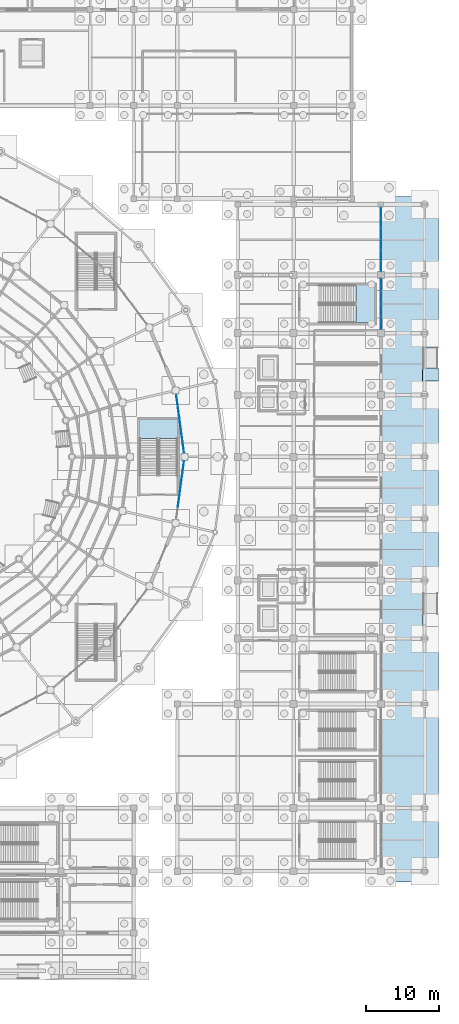
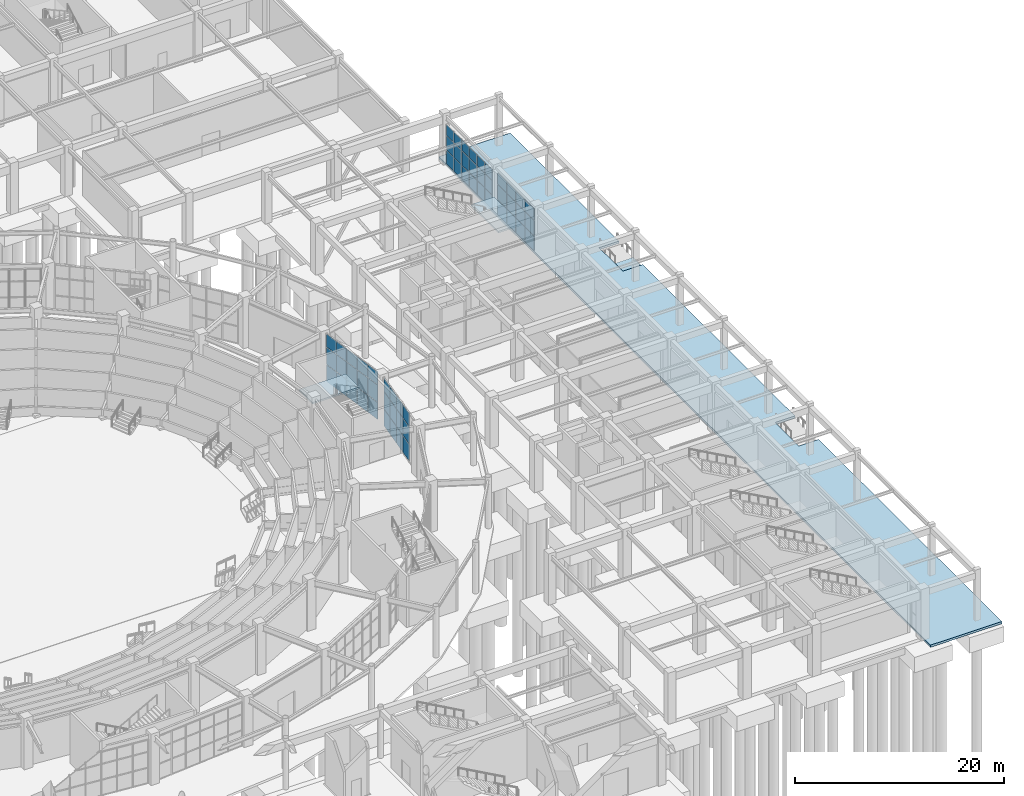
# One storey, part 76 of 121: 57 plates, 4 slabs, 7 elements without a shape of their own.
"""IFC4 building model written with IfcOpenShell, lengths in metres."""

from ifc_helpers import new_model, si_unit, direction, frame, origin, origin_2d, place, context, subcontext, project, spatial, polyline, rectangle, outline, extrude, material, layer, layer_set, type_object, element, aggregate, save


model = new_model("IFC4")

# Units and contexts
model_context = context("Model", 3, precision=1e-05, world=origin(), true_north=direction((0.0, 1.0)))
body_context = subcontext(model_context, "Body", "Model", "MODEL_VIEW")
ifc_project = project(units=[si_unit("LENGTHUNIT", "METRE"), si_unit("AREAUNIT", "SQUARE_METRE"), si_unit("VOLUMEUNIT", "CUBIC_METRE"), si_unit("PLANEANGLEUNIT", "RADIAN"), si_unit("MASSUNIT", "GRAM", prefix="KILO")], contexts=[model_context])

# Site, building, storey
site_placement = place(None, origin())
site = spatial("IfcSite", under=ifc_project, at=site_placement, CompositionType="ELEMENT")
building_placement = place(site_placement, origin())
building = spatial("IfcBuilding", under=site, at=building_placement, Name="Cuetzalor Civic Arena", CompositionType="ELEMENT")
storey_placement = place(building_placement, origin())
storey = spatial("IfcBuildingStorey", under=building, at=storey_placement, Name="L00", CompositionType="ELEMENT", Elevation=0.0)

# Curtain wall, plates
ifc_material_1 = material(Name="Anodised dark bronze aluminium and low-E solar glass", Category="aluminium")
curtain_wall_type_1 = type_object("IfcCurtainWallType", Name="UnitisedCW_8150x5700", PredefinedType="USERDEFINED", material=ifc_material_1)
curtain_wall_1_placement = place(storey_placement, origin())
curtain_wall_1 = element("IfcCurtainWall", 1, at=curtain_wall_1_placement, inside=storey, type_object=curtain_wall_type_1, Name="Drum Ground Recessed Concourse Curtain Wall L00-001", ObjectType="UNITISED CURTAIN WALL", PredefinedType="USERDEFINED")
ifc_material_2 = material(Name="Acoustic laminated solar control glass", Category="glass")
ifc_layer_1 = layer(ifc_material_2, 0.0439453125)
ifc_layer_set_1 = layer_set([ifc_layer_1], Name="Acoustic laminated solar control glass")
plate_type = type_object("IfcPlateType", Name="AcousticTripleGlazedPanel_44", PredefinedType="CURTAIN_PANEL", material=ifc_layer_set_1)
plate_1_placement = place(storey_placement, frame((47.951904296875, 7.784423828125, 0.06982421875), z_axis=(0.0, 0.0, 1.0), x_axis=(0.133443440892, -0.991056430322, 0.0)))
plate_1 = element("IfcPlate", 2, at=plate_1_placement, type_object=plate_type, Name="CW-01 panel 1.1", PredefinedType="CURTAIN_PANEL", context=body_context, shape_type="SweptSolid", body=[
    extrude(rectangle(XDim=1.52978515625, YDim=0.0439453125, at=origin_2d()), origin(), (0.0, 0.0, 1.0), 1.947021484375),
])
plate_2_placement = place(storey_placement, frame((47.951904296875, 7.784423828125, 2.0869140625), z_axis=(0.0, 0.0, 1.0), x_axis=(0.133443440892, -0.991056430322, 0.0)))
plate_2 = element("IfcPlate", 3, at=plate_2_placement, type_object=plate_type, Name="CW-01 panel 1.2", PredefinedType="CURTAIN_PANEL", context=body_context, shape_type="SweptSolid", body=[
    extrude(rectangle(XDim=1.52978515625, YDim=0.0439453125, at=origin_2d()), origin(), (0.0, 0.0, 1.0), 1.98193359375),
])
plate_3_placement = place(storey_placement, frame((47.951904296875, 7.784423828125, 4.13916015625), z_axis=(0.0, 0.0, 1.0), x_axis=(0.133443440892, -0.991056430322, 0.0)))
plate_3 = element("IfcPlate", 4, at=plate_3_placement, type_object=plate_type, Name="CW-01 panel 1.3", PredefinedType="CURTAIN_PANEL", context=body_context, shape_type="SweptSolid", body=[
    extrude(rectangle(XDim=1.52978515625, YDim=0.0439453125, at=origin_2d()), origin(), (0.0, 0.0, 1.0), 1.490966796875),
])
plate_4_placement = place(storey_placement, frame((48.167724609375, 6.181884765625, 0.06982421875), z_axis=(0.0, 0.0, 1.0), x_axis=(0.133443440892, -0.991056430322, 0.0)))
plate_4 = element("IfcPlate", 5, at=plate_4_placement, type_object=plate_type, Name="CW-01 panel 2.1", PredefinedType="CURTAIN_PANEL", context=body_context, shape_type="SweptSolid", body=[
    extrude(rectangle(XDim=1.564697265625, YDim=0.0439453125, at=origin_2d()), origin(), (0.0, 0.0, 1.0), 1.947021484375),
])
plate_5_placement = place(storey_placement, frame((48.167724609375, 6.181884765625, 2.0869140625), z_axis=(0.0, 0.0, 1.0), x_axis=(0.133443440892, -0.991056430322, 0.0)))
plate_5 = element("IfcPlate", 6, at=plate_5_placement, type_object=plate_type, Name="CW-01 panel 2.2", PredefinedType="CURTAIN_PANEL", context=body_context, shape_type="SweptSolid", body=[
    extrude(rectangle(XDim=1.564697265625, YDim=0.0439453125, at=origin_2d()), origin(), (0.0, 0.0, 1.0), 1.98193359375),
])
plate_6_placement = place(storey_placement, frame((48.167724609375, 6.181884765625, 4.13916015625), z_axis=(0.0, 0.0, 1.0), x_axis=(0.133443440892, -0.991056430322, 0.0)))
plate_6 = element("IfcPlate", 7, at=plate_6_placement, type_object=plate_type, Name="CW-01 panel 2.3", PredefinedType="CURTAIN_PANEL", context=body_context, shape_type="SweptSolid", body=[
    extrude(rectangle(XDim=1.564697265625, YDim=0.0439453125, at=origin_2d()), origin(), (0.0, 0.0, 1.0), 1.490966796875),
])
plate_7_placement = place(storey_placement, frame((48.3857421875, 4.561767578125, 0.06982421875), z_axis=(0.0, 0.0, 1.0), x_axis=(0.133443440892, -0.991056430322, 0.0)))
plate_7 = element("IfcPlate", 8, at=plate_7_placement, type_object=plate_type, Name="CW-01 panel 3.1", PredefinedType="CURTAIN_PANEL", context=body_context, shape_type="SweptSolid", body=[
    extrude(rectangle(XDim=1.564697265625, YDim=0.0439453125, at=origin_2d()), origin(), (0.0, 0.0, 1.0), 1.947021484375),
])
plate_8_placement = place(storey_placement, frame((48.3857421875, 4.561767578125, 2.0869140625), z_axis=(0.0, 0.0, 1.0), x_axis=(0.133443440892, -0.991056430322, 0.0)))
plate_8 = element("IfcPlate", 9, at=plate_8_placement, type_object=plate_type, Name="CW-01 panel 3.2", PredefinedType="CURTAIN_PANEL", context=body_context, shape_type="SweptSolid", body=[
    extrude(rectangle(XDim=1.564697265625, YDim=0.0439453125, at=origin_2d()), origin(), (0.0, 0.0, 1.0), 1.98193359375),
])
plate_9_placement = place(storey_placement, frame((48.3857421875, 4.561767578125, 4.13916015625), z_axis=(0.0, 0.0, 1.0), x_axis=(0.133443440892, -0.991056430322, 0.0)))
plate_9 = element("IfcPlate", 10, at=plate_9_placement, type_object=plate_type, Name="CW-01 panel 3.3", PredefinedType="CURTAIN_PANEL", context=body_context, shape_type="SweptSolid", body=[
    extrude(rectangle(XDim=1.564697265625, YDim=0.0439453125, at=origin_2d()), origin(), (0.0, 0.0, 1.0), 1.490966796875),
])
plate_10_placement = place(storey_placement, frame((48.60400390625, 2.941650390625, 0.06982421875), z_axis=(0.0, 0.0, 1.0), x_axis=(0.133443440892, -0.991056430322, 0.0)))
plate_10 = element("IfcPlate", 11, at=plate_10_placement, type_object=plate_type, Name="CW-01 panel 4.1", PredefinedType="CURTAIN_PANEL", context=body_context, shape_type="SweptSolid", body=[
    extrude(rectangle(XDim=1.564697265625, YDim=0.0439453125, at=origin_2d()), origin(), (0.0, 0.0, 1.0), 1.947021484375),
])
plate_11_placement = place(storey_placement, frame((48.60400390625, 2.941650390625, 2.0869140625), z_axis=(0.0, 0.0, 1.0), x_axis=(0.133443440892, -0.991056430322, 0.0)))
plate_11 = element("IfcPlate", 12, at=plate_11_placement, type_object=plate_type, Name="CW-01 panel 4.2", PredefinedType="CURTAIN_PANEL", context=body_context, shape_type="SweptSolid", body=[
    extrude(rectangle(XDim=1.564697265625, YDim=0.0439453125, at=origin_2d()), origin(), (0.0, 0.0, 1.0), 1.98193359375),
])
plate_12_placement = place(storey_placement, frame((48.60400390625, 2.941650390625, 4.13916015625), z_axis=(0.0, 0.0, 1.0), x_axis=(0.133443440892, -0.991056430322, 0.0)))
plate_12 = element("IfcPlate", 13, at=plate_12_placement, type_object=plate_type, Name="CW-01 panel 4.3", PredefinedType="CURTAIN_PANEL", context=body_context, shape_type="SweptSolid", body=[
    extrude(rectangle(XDim=1.564697265625, YDim=0.0439453125, at=origin_2d()), origin(), (0.0, 0.0, 1.0), 1.490966796875),
])
plate_13_placement = place(storey_placement, frame((48.819580078125, 1.3388671875, 0.06982421875), z_axis=(0.0, 0.0, 1.0), x_axis=(0.133443440892, -0.991056430322, 0.0)))
plate_13 = element("IfcPlate", 14, at=plate_13_placement, type_object=plate_type, Name="CW-01 panel 5.1", PredefinedType="CURTAIN_PANEL", context=body_context, shape_type="SweptSolid", body=[
    extrude(rectangle(XDim=1.52978515625, YDim=0.0439453125, at=origin_2d()), origin(), (0.0, 0.0, 1.0), 1.947021484375),
])
plate_14_placement = place(storey_placement, frame((48.819580078125, 1.3388671875, 2.0869140625), z_axis=(0.0, 0.0, 1.0), x_axis=(0.133443440892, -0.991056430322, 0.0)))
plate_14 = element("IfcPlate", 15, at=plate_14_placement, type_object=plate_type, Name="CW-01 panel 5.2", PredefinedType="CURTAIN_PANEL", context=body_context, shape_type="SweptSolid", body=[
    extrude(rectangle(XDim=1.52978515625, YDim=0.0439453125, at=origin_2d()), origin(), (0.0, 0.0, 1.0), 1.98193359375),
])
plate_15_placement = place(storey_placement, frame((48.819580078125, 1.3388671875, 4.13916015625), z_axis=(0.0, 0.0, 1.0), x_axis=(0.133443440892, -0.991056430322, 0.0)))
plate_15 = element("IfcPlate", 16, at=plate_15_placement, type_object=plate_type, Name="CW-01 panel 5.3", PredefinedType="CURTAIN_PANEL", context=body_context, shape_type="SweptSolid", body=[
    extrude(rectangle(XDim=1.52978515625, YDim=0.0439453125, at=origin_2d()), origin(), (0.0, 0.0, 1.0), 1.490966796875),
])
aggregate(curtain_wall_1, [plate_1, plate_2, plate_3, plate_4, plate_5, plate_6, plate_7, plate_8, plate_9, plate_10, plate_11, plate_12, plate_13, plate_14, plate_15])

curtain_wall_2_placement = place(storey_placement, origin())
curtain_wall_2 = element("IfcCurtainWall", 17, at=curtain_wall_2_placement, inside=storey, type_object=curtain_wall_type_1, Name="Drum Ground Recessed Concourse Curtain Wall L00-020", ObjectType="UNITISED CURTAIN WALL", PredefinedType="USERDEFINED")
plate_16_placement = place(storey_placement, frame((48.819580078125, -1.3388671875, 0.06982421875), z_axis=(0.0, 0.0, 1.0), x_axis=(-0.133443440892, -0.991056430322, 0.0)))
plate_16 = element("IfcPlate", 18, at=plate_16_placement, type_object=plate_type, Name="CW-01 panel 1.1", PredefinedType="CURTAIN_PANEL", context=body_context, shape_type="SweptSolid", body=[
    extrude(rectangle(XDim=1.52978515625, YDim=0.0439453125, at=origin_2d()), origin(), (0.0, 0.0, 1.0), 1.947021484375),
])
plate_17_placement = place(storey_placement, frame((48.819580078125, -1.3388671875, 2.0869140625), z_axis=(0.0, 0.0, 1.0), x_axis=(-0.133443440892, -0.991056430322, 0.0)))
plate_17 = element("IfcPlate", 19, at=plate_17_placement, type_object=plate_type, Name="CW-01 panel 1.2", PredefinedType="CURTAIN_PANEL", context=body_context, shape_type="SweptSolid", body=[
    extrude(rectangle(XDim=1.52978515625, YDim=0.0439453125, at=origin_2d()), origin(), (0.0, 0.0, 1.0), 1.98193359375),
])
plate_18_placement = place(storey_placement, frame((48.819580078125, -1.3388671875, 4.13916015625), z_axis=(0.0, 0.0, 1.0), x_axis=(-0.133443440892, -0.991056430322, 0.0)))
plate_18 = element("IfcPlate", 20, at=plate_18_placement, type_object=plate_type, Name="CW-01 panel 1.3", PredefinedType="CURTAIN_PANEL", context=body_context, shape_type="SweptSolid", body=[
    extrude(rectangle(XDim=1.52978515625, YDim=0.0439453125, at=origin_2d()), origin(), (0.0, 0.0, 1.0), 1.490966796875),
])
plate_19_placement = place(storey_placement, frame((48.60400390625, -2.941650390625, 0.06982421875), z_axis=(0.0, 0.0, 1.0), x_axis=(-0.133443440892, -0.991056430322, 0.0)))
plate_19 = element("IfcPlate", 21, at=plate_19_placement, type_object=plate_type, Name="CW-01 panel 2.1", PredefinedType="CURTAIN_PANEL", context=body_context, shape_type="SweptSolid", body=[
    extrude(rectangle(XDim=1.564697265625, YDim=0.0439453125, at=origin_2d()), origin(), (0.0, 0.0, 1.0), 1.947021484375),
])
plate_20_placement = place(storey_placement, frame((48.60400390625, -2.941650390625, 2.0869140625), z_axis=(0.0, 0.0, 1.0), x_axis=(-0.133443440892, -0.991056430322, 0.0)))
plate_20 = element("IfcPlate", 22, at=plate_20_placement, type_object=plate_type, Name="CW-01 panel 2.2", PredefinedType="CURTAIN_PANEL", context=body_context, shape_type="SweptSolid", body=[
    extrude(rectangle(XDim=1.564697265625, YDim=0.0439453125, at=origin_2d()), origin(), (0.0, 0.0, 1.0), 1.98193359375),
])
plate_21_placement = place(storey_placement, frame((48.60400390625, -2.941650390625, 4.13916015625), z_axis=(0.0, 0.0, 1.0), x_axis=(-0.133443440892, -0.991056430322, 0.0)))
plate_21 = element("IfcPlate", 23, at=plate_21_placement, type_object=plate_type, Name="CW-01 panel 2.3", PredefinedType="CURTAIN_PANEL", context=body_context, shape_type="SweptSolid", body=[
    extrude(rectangle(XDim=1.564697265625, YDim=0.0439453125, at=origin_2d()), origin(), (0.0, 0.0, 1.0), 1.490966796875),
])
plate_22_placement = place(storey_placement, frame((48.3857421875, -4.561767578125, 0.06982421875), z_axis=(0.0, 0.0, 1.0), x_axis=(-0.133443440892, -0.991056430322, 0.0)))
plate_22 = element("IfcPlate", 24, at=plate_22_placement, type_object=plate_type, Name="CW-01 panel 3.1", PredefinedType="CURTAIN_PANEL", context=body_context, shape_type="SweptSolid", body=[
    extrude(rectangle(XDim=1.564697265625, YDim=0.0439453125, at=origin_2d()), origin(), (0.0, 0.0, 1.0), 1.947021484375),
])
plate_23_placement = place(storey_placement, frame((48.3857421875, -4.561767578125, 2.0869140625), z_axis=(0.0, 0.0, 1.0), x_axis=(-0.133443440892, -0.991056430322, 0.0)))
plate_23 = element("IfcPlate", 25, at=plate_23_placement, type_object=plate_type, Name="CW-01 panel 3.2", PredefinedType="CURTAIN_PANEL", context=body_context, shape_type="SweptSolid", body=[
    extrude(rectangle(XDim=1.564697265625, YDim=0.0439453125, at=origin_2d()), origin(), (0.0, 0.0, 1.0), 1.98193359375),
])
plate_24_placement = place(storey_placement, frame((48.3857421875, -4.561767578125, 4.13916015625), z_axis=(0.0, 0.0, 1.0), x_axis=(-0.133443440892, -0.991056430322, 0.0)))
plate_24 = element("IfcPlate", 26, at=plate_24_placement, type_object=plate_type, Name="CW-01 panel 3.3", PredefinedType="CURTAIN_PANEL", context=body_context, shape_type="SweptSolid", body=[
    extrude(rectangle(XDim=1.564697265625, YDim=0.0439453125, at=origin_2d()), origin(), (0.0, 0.0, 1.0), 1.490966796875),
])
plate_25_placement = place(storey_placement, frame((48.167724609375, -6.181884765625, 0.06982421875), z_axis=(0.0, 0.0, 1.0), x_axis=(-0.133443440892, -0.991056430322, 0.0)))
plate_25 = element("IfcPlate", 27, at=plate_25_placement, type_object=plate_type, Name="CW-01 panel 4.1", PredefinedType="CURTAIN_PANEL", context=body_context, shape_type="SweptSolid", body=[
    extrude(rectangle(XDim=1.564697265625, YDim=0.0439453125, at=origin_2d()), origin(), (0.0, 0.0, 1.0), 1.947021484375),
])
plate_26_placement = place(storey_placement, frame((48.167724609375, -6.181884765625, 2.0869140625), z_axis=(0.0, 0.0, 1.0), x_axis=(-0.133443440892, -0.991056430322, 0.0)))
plate_26 = element("IfcPlate", 28, at=plate_26_placement, type_object=plate_type, Name="CW-01 panel 4.2", PredefinedType="CURTAIN_PANEL", context=body_context, shape_type="SweptSolid", body=[
    extrude(rectangle(XDim=1.564697265625, YDim=0.0439453125, at=origin_2d()), origin(), (0.0, 0.0, 1.0), 1.98193359375),
])
plate_27_placement = place(storey_placement, frame((48.167724609375, -6.181884765625, 4.13916015625), z_axis=(0.0, 0.0, 1.0), x_axis=(-0.133443440892, -0.991056430322, 0.0)))
plate_27 = element("IfcPlate", 29, at=plate_27_placement, type_object=plate_type, Name="CW-01 panel 4.3", PredefinedType="CURTAIN_PANEL", context=body_context, shape_type="SweptSolid", body=[
    extrude(rectangle(XDim=1.564697265625, YDim=0.0439453125, at=origin_2d()), origin(), (0.0, 0.0, 1.0), 1.490966796875),
])
aggregate(curtain_wall_2, [plate_16, plate_17, plate_18, plate_19, plate_20, plate_21, plate_22, plate_23, plate_24, plate_25, plate_26, plate_27])

ifc_material_3 = material(Name="Anodised dark bronze aluminium and low-E solar glass", Category="aluminium")
curtain_wall_type_2 = type_object("IfcCurtainWallType", Name="UnitisedCW_7100x5050", PredefinedType="USERDEFINED", material=ifc_material_3)
curtain_wall_3_placement = place(storey_placement, origin())
curtain_wall_3 = element("IfcCurtainWall", 30, at=curtain_wall_3_placement, inside=storey, type_object=curtain_wall_type_2, Name="V4E Colonnade Curtain Wall L00-133", ObjectType="UNITISED CURTAIN WALL", PredefinedType="USERDEFINED")
plate_28_placement = place(storey_placement, frame((76.0, 23.6396484375, 0.070068359375), z_axis=(0.0, 0.0, 1.0), x_axis=(0.0, -1.0, 0.0)))
plate_28 = element("IfcPlate", 31, at=plate_28_placement, type_object=plate_type, Name="CW-34 panel 1.1", PredefinedType="CURTAIN_PANEL", context=body_context, shape_type="SweptSolid", body=[
    extrude(rectangle(XDim=1.66650390625, YDim=0.0439453125, at=origin_2d()), origin(), (0.0, 0.0, 1.0), 1.708984375),
])
plate_29_placement = place(storey_placement, frame((76.0, 23.6396484375, 1.848876953125), z_axis=(0.0, 0.0, 1.0), x_axis=(0.0, -1.0, 0.0)))
plate_29 = element("IfcPlate", 32, at=plate_29_placement, type_object=plate_type, Name="CW-34 panel 1.2", PredefinedType="CURTAIN_PANEL", context=body_context, shape_type="SweptSolid", body=[
    extrude(rectangle(XDim=1.66650390625, YDim=0.0439453125, at=origin_2d()), origin(), (0.0, 0.0, 1.0), 1.7451171875),
])
plate_30_placement = place(storey_placement, frame((76.0, 23.6396484375, 3.6640625), z_axis=(0.0, 0.0, 1.0), x_axis=(0.0, -1.0, 0.0)))
plate_30 = element("IfcPlate", 33, at=plate_30_placement, type_object=plate_type, Name="CW-34 panel 1.3", PredefinedType="CURTAIN_PANEL", context=body_context, shape_type="SweptSolid", body=[
    extrude(rectangle(XDim=1.66650390625, YDim=0.0439453125, at=origin_2d()), origin(), (0.0, 0.0, 1.0), 1.305908203125),
])
plate_31_placement = place(storey_placement, frame((76.0, 21.8857421875, 0.070068359375), z_axis=(0.0, 0.0, 1.0), x_axis=(0.0, -1.0, 0.0)))
plate_31 = element("IfcPlate", 34, at=plate_31_placement, type_object=plate_type, Name="CW-34 panel 2.1", PredefinedType="CURTAIN_PANEL", context=body_context, shape_type="SweptSolid", body=[
    extrude(rectangle(XDim=1.701416015625, YDim=0.0439453125, at=origin_2d()), origin(), (0.0, 0.0, 1.0), 1.708984375),
])
plate_32_placement = place(storey_placement, frame((76.0, 21.8857421875, 1.848876953125), z_axis=(0.0, 0.0, 1.0), x_axis=(0.0, -1.0, 0.0)))
plate_32 = element("IfcPlate", 35, at=plate_32_placement, type_object=plate_type, Name="CW-34 panel 2.2", PredefinedType="CURTAIN_PANEL", context=body_context, shape_type="SweptSolid", body=[
    extrude(rectangle(XDim=1.701416015625, YDim=0.0439453125, at=origin_2d()), origin(), (0.0, 0.0, 1.0), 1.7451171875),
])
plate_33_placement = place(storey_placement, frame((76.0, 21.8857421875, 3.6640625), z_axis=(0.0, 0.0, 1.0), x_axis=(0.0, -1.0, 0.0)))
plate_33 = element("IfcPlate", 36, at=plate_33_placement, type_object=plate_type, Name="CW-34 panel 2.3", PredefinedType="CURTAIN_PANEL", context=body_context, shape_type="SweptSolid", body=[
    extrude(rectangle(XDim=1.701416015625, YDim=0.0439453125, at=origin_2d()), origin(), (0.0, 0.0, 1.0), 1.305908203125),
])
plate_34_placement = place(storey_placement, frame((76.0, 20.1142578125, 0.070068359375), z_axis=(0.0, 0.0, 1.0), x_axis=(0.0, -1.0, 0.0)))
plate_34 = element("IfcPlate", 37, at=plate_34_placement, type_object=plate_type, Name="CW-34 panel 3.1", PredefinedType="CURTAIN_PANEL", context=body_context, shape_type="SweptSolid", body=[
    extrude(rectangle(XDim=1.701416015625, YDim=0.0439453125, at=origin_2d()), origin(), (0.0, 0.0, 1.0), 1.708984375),
])
plate_35_placement = place(storey_placement, frame((76.0, 20.1142578125, 1.848876953125), z_axis=(0.0, 0.0, 1.0), x_axis=(0.0, -1.0, 0.0)))
plate_35 = element("IfcPlate", 38, at=plate_35_placement, type_object=plate_type, Name="CW-34 panel 3.2", PredefinedType="CURTAIN_PANEL", context=body_context, shape_type="SweptSolid", body=[
    extrude(rectangle(XDim=1.701416015625, YDim=0.0439453125, at=origin_2d()), origin(), (0.0, 0.0, 1.0), 1.7451171875),
])
plate_36_placement = place(storey_placement, frame((76.0, 20.1142578125, 3.6640625), z_axis=(0.0, 0.0, 1.0), x_axis=(0.0, -1.0, 0.0)))
plate_36 = element("IfcPlate", 39, at=plate_36_placement, type_object=plate_type, Name="CW-34 panel 3.3", PredefinedType="CURTAIN_PANEL", context=body_context, shape_type="SweptSolid", body=[
    extrude(rectangle(XDim=1.701416015625, YDim=0.0439453125, at=origin_2d()), origin(), (0.0, 0.0, 1.0), 1.305908203125),
])
plate_37_placement = place(storey_placement, frame((76.0, 18.3603515625, 0.070068359375), z_axis=(0.0, 0.0, 1.0), x_axis=(0.0, -1.0, 0.0)))
plate_37 = element("IfcPlate", 40, at=plate_37_placement, type_object=plate_type, Name="CW-34 panel 4.1", PredefinedType="CURTAIN_PANEL", context=body_context, shape_type="SweptSolid", body=[
    extrude(rectangle(XDim=1.66650390625, YDim=0.0439453125, at=origin_2d()), origin(), (0.0, 0.0, 1.0), 1.708984375),
])
plate_38_placement = place(storey_placement, frame((76.0, 18.3603515625, 1.848876953125), z_axis=(0.0, 0.0, 1.0), x_axis=(0.0, -1.0, 0.0)))
plate_38 = element("IfcPlate", 41, at=plate_38_placement, type_object=plate_type, Name="CW-34 panel 4.2", PredefinedType="CURTAIN_PANEL", context=body_context, shape_type="SweptSolid", body=[
    extrude(rectangle(XDim=1.66650390625, YDim=0.0439453125, at=origin_2d()), origin(), (0.0, 0.0, 1.0), 1.7451171875),
])
plate_39_placement = place(storey_placement, frame((76.0, 18.3603515625, 3.6640625), z_axis=(0.0, 0.0, 1.0), x_axis=(0.0, -1.0, 0.0)))
plate_39 = element("IfcPlate", 42, at=plate_39_placement, type_object=plate_type, Name="CW-34 panel 4.3", PredefinedType="CURTAIN_PANEL", context=body_context, shape_type="SweptSolid", body=[
    extrude(rectangle(XDim=1.66650390625, YDim=0.0439453125, at=origin_2d()), origin(), (0.0, 0.0, 1.0), 1.305908203125),
])
aggregate(curtain_wall_3, [plate_28, plate_29, plate_30, plate_31, plate_32, plate_33, plate_34, plate_35, plate_36, plate_37, plate_38, plate_39])

ifc_material_4 = material(Name="Anodised dark bronze aluminium and low-E solar glass", Category="aluminium")
curtain_wall_type_3 = type_object("IfcCurtainWallType", Name="UnitisedCW_8900x4750", PredefinedType="USERDEFINED", material=ifc_material_4)
curtain_wall_4_placement = place(storey_placement, origin())
curtain_wall_4 = element("IfcCurtainWall", 43, at=curtain_wall_4_placement, inside=storey, type_object=curtain_wall_type_3, Name="V4E Colonnade Curtain Wall L00-134", ObjectType="UNITISED CURTAIN WALL", PredefinedType="USERDEFINED")
plate_40_placement = place(storey_placement, frame((76.0, 33.5849609375, 0.070068359375), z_axis=(0.0, 0.0, 1.0), x_axis=(0.0, -1.0, 0.0)))
plate_40 = element("IfcPlate", 44, at=plate_40_placement, type_object=plate_type, Name="CW-35 panel 1.1", PredefinedType="CURTAIN_PANEL", context=body_context, shape_type="SweptSolid", body=[
    extrude(rectangle(XDim=1.3759765625, YDim=0.0439453125, at=origin_2d()), origin(), (0.0, 0.0, 1.0), 1.60107421875),
])
plate_41_placement = place(storey_placement, frame((76.0, 33.5849609375, 1.7412109375), z_axis=(0.0, 0.0, 1.0), x_axis=(0.0, -1.0, 0.0)))
plate_41 = element("IfcPlate", 45, at=plate_41_placement, type_object=plate_type, Name="CW-35 panel 1.2", PredefinedType="CURTAIN_PANEL", context=body_context, shape_type="SweptSolid", body=[
    extrude(rectangle(XDim=1.3759765625, YDim=0.0439453125, at=origin_2d()), origin(), (0.0, 0.0, 1.0), 1.636962890625),
])
plate_42_placement = place(storey_placement, frame((76.0, 33.5849609375, 3.4482421875), z_axis=(0.0, 0.0, 1.0), x_axis=(0.0, -1.0, 0.0)))
plate_42 = element("IfcPlate", 46, at=plate_42_placement, type_object=plate_type, Name="CW-35 panel 1.3", PredefinedType="CURTAIN_PANEL", context=body_context, shape_type="SweptSolid", body=[
    extrude(rectangle(XDim=1.3759765625, YDim=0.0439453125, at=origin_2d()), origin(), (0.0, 0.0, 1.0), 1.221923828125),
])
plate_43_placement = place(storey_placement, frame((76.0, 32.12158203125, 0.070068359375), z_axis=(0.0, 0.0, 1.0), x_axis=(0.0, -1.0, 0.0)))
plate_43 = element("IfcPlate", 47, at=plate_43_placement, type_object=plate_type, Name="CW-35 panel 2.1", PredefinedType="CURTAIN_PANEL", context=body_context, shape_type="SweptSolid", body=[
    extrude(rectangle(XDim=1.410888671875, YDim=0.0439453125, at=origin_2d()), origin(), (0.0, 0.0, 1.0), 1.60107421875),
])
plate_44_placement = place(storey_placement, frame((76.0, 32.12158203125, 1.7412109375), z_axis=(0.0, 0.0, 1.0), x_axis=(0.0, -1.0, 0.0)))
plate_44 = element("IfcPlate", 48, at=plate_44_placement, type_object=plate_type, Name="CW-35 panel 2.2", PredefinedType="CURTAIN_PANEL", context=body_context, shape_type="SweptSolid", body=[
    extrude(rectangle(XDim=1.410888671875, YDim=0.0439453125, at=origin_2d()), origin(), (0.0, 0.0, 1.0), 1.636962890625),
])
plate_45_placement = place(storey_placement, frame((76.0, 32.12158203125, 3.4482421875), z_axis=(0.0, 0.0, 1.0), x_axis=(0.0, -1.0, 0.0)))
plate_45 = element("IfcPlate", 49, at=plate_45_placement, type_object=plate_type, Name="CW-35 panel 2.3", PredefinedType="CURTAIN_PANEL", context=body_context, shape_type="SweptSolid", body=[
    extrude(rectangle(XDim=1.410888671875, YDim=0.0439453125, at=origin_2d()), origin(), (0.0, 0.0, 1.0), 1.221923828125),
])
plate_46_placement = place(storey_placement, frame((76.0, 30.640380859375, 0.070068359375), z_axis=(0.0, 0.0, 1.0), x_axis=(0.0, -1.0, 0.0)))
plate_46 = element("IfcPlate", 50, at=plate_46_placement, type_object=plate_type, Name="CW-35 panel 3.1", PredefinedType="CURTAIN_PANEL", context=body_context, shape_type="SweptSolid", body=[
    extrude(rectangle(XDim=1.410888671875, YDim=0.0439453125, at=origin_2d()), origin(), (0.0, 0.0, 1.0), 1.60107421875),
])
plate_47_placement = place(storey_placement, frame((76.0, 30.640380859375, 1.7412109375), z_axis=(0.0, 0.0, 1.0), x_axis=(0.0, -1.0, 0.0)))
plate_47 = element("IfcPlate", 51, at=plate_47_placement, type_object=plate_type, Name="CW-35 panel 3.2", PredefinedType="CURTAIN_PANEL", context=body_context, shape_type="SweptSolid", body=[
    extrude(rectangle(XDim=1.410888671875, YDim=0.0439453125, at=origin_2d()), origin(), (0.0, 0.0, 1.0), 1.636962890625),
])
plate_48_placement = place(storey_placement, frame((76.0, 30.640380859375, 3.4482421875), z_axis=(0.0, 0.0, 1.0), x_axis=(0.0, -1.0, 0.0)))
plate_48 = element("IfcPlate", 52, at=plate_48_placement, type_object=plate_type, Name="CW-35 panel 3.3", PredefinedType="CURTAIN_PANEL", context=body_context, shape_type="SweptSolid", body=[
    extrude(rectangle(XDim=1.410888671875, YDim=0.0439453125, at=origin_2d()), origin(), (0.0, 0.0, 1.0), 1.221923828125),
])
plate_49_placement = place(storey_placement, frame((76.0, 29.159423828125, 0.070068359375), z_axis=(0.0, 0.0, 1.0), x_axis=(0.0, -1.0, 0.0)))
plate_49 = element("IfcPlate", 53, at=plate_49_placement, type_object=plate_type, Name="CW-35 panel 4.1", PredefinedType="CURTAIN_PANEL", context=body_context, shape_type="SweptSolid", body=[
    extrude(rectangle(XDim=1.410888671875, YDim=0.0439453125, at=origin_2d()), origin(), (0.0, 0.0, 1.0), 1.60107421875),
])
plate_50_placement = place(storey_placement, frame((76.0, 29.159423828125, 1.7412109375), z_axis=(0.0, 0.0, 1.0), x_axis=(0.0, -1.0, 0.0)))
plate_50 = element("IfcPlate", 54, at=plate_50_placement, type_object=plate_type, Name="CW-35 panel 4.2", PredefinedType="CURTAIN_PANEL", context=body_context, shape_type="SweptSolid", body=[
    extrude(rectangle(XDim=1.410888671875, YDim=0.0439453125, at=origin_2d()), origin(), (0.0, 0.0, 1.0), 1.636962890625),
])
plate_51_placement = place(storey_placement, frame((76.0, 29.159423828125, 3.4482421875), z_axis=(0.0, 0.0, 1.0), x_axis=(0.0, -1.0, 0.0)))
plate_51 = element("IfcPlate", 55, at=plate_51_placement, type_object=plate_type, Name="CW-35 panel 4.3", PredefinedType="CURTAIN_PANEL", context=body_context, shape_type="SweptSolid", body=[
    extrude(rectangle(XDim=1.410888671875, YDim=0.0439453125, at=origin_2d()), origin(), (0.0, 0.0, 1.0), 1.221923828125),
])
plate_52_placement = place(storey_placement, frame((76.0, 27.678466796875, 0.070068359375), z_axis=(0.0, 0.0, 1.0), x_axis=(0.0, -1.0, 0.0)))
plate_52 = element("IfcPlate", 56, at=plate_52_placement, type_object=plate_type, Name="CW-35 panel 5.1", PredefinedType="CURTAIN_PANEL", context=body_context, shape_type="SweptSolid", body=[
    extrude(rectangle(XDim=1.410888671875, YDim=0.0439453125, at=origin_2d()), origin(), (0.0, 0.0, 1.0), 1.60107421875),
])
plate_53_placement = place(storey_placement, frame((76.0, 27.678466796875, 1.7412109375), z_axis=(0.0, 0.0, 1.0), x_axis=(0.0, -1.0, 0.0)))
plate_53 = element("IfcPlate", 57, at=plate_53_placement, type_object=plate_type, Name="CW-35 panel 5.2", PredefinedType="CURTAIN_PANEL", context=body_context, shape_type="SweptSolid", body=[
    extrude(rectangle(XDim=1.410888671875, YDim=0.0439453125, at=origin_2d()), origin(), (0.0, 0.0, 1.0), 1.636962890625),
])
plate_54_placement = place(storey_placement, frame((76.0, 27.678466796875, 3.4482421875), z_axis=(0.0, 0.0, 1.0), x_axis=(0.0, -1.0, 0.0)))
plate_54 = element("IfcPlate", 58, at=plate_54_placement, type_object=plate_type, Name="CW-35 panel 5.3", PredefinedType="CURTAIN_PANEL", context=body_context, shape_type="SweptSolid", body=[
    extrude(rectangle(XDim=1.410888671875, YDim=0.0439453125, at=origin_2d()), origin(), (0.0, 0.0, 1.0), 1.221923828125),
])
plate_55_placement = place(storey_placement, frame((76.0, 26.215087890625, 0.070068359375), z_axis=(0.0, 0.0, 1.0), x_axis=(0.0, -1.0, 0.0)))
plate_55 = element("IfcPlate", 59, at=plate_55_placement, type_object=plate_type, Name="CW-35 panel 6.1", PredefinedType="CURTAIN_PANEL", context=body_context, shape_type="SweptSolid", body=[
    extrude(rectangle(XDim=1.3759765625, YDim=0.0439453125, at=origin_2d()), origin(), (0.0, 0.0, 1.0), 1.60107421875),
])
plate_56_placement = place(storey_placement, frame((76.0, 26.215087890625, 1.7412109375), z_axis=(0.0, 0.0, 1.0), x_axis=(0.0, -1.0, 0.0)))
plate_56 = element("IfcPlate", 60, at=plate_56_placement, type_object=plate_type, Name="CW-35 panel 6.2", PredefinedType="CURTAIN_PANEL", context=body_context, shape_type="SweptSolid", body=[
    extrude(rectangle(XDim=1.3759765625, YDim=0.0439453125, at=origin_2d()), origin(), (0.0, 0.0, 1.0), 1.636962890625),
])
plate_57_placement = place(storey_placement, frame((76.0, 26.215087890625, 3.4482421875), z_axis=(0.0, 0.0, 1.0), x_axis=(0.0, -1.0, 0.0)))
plate_57 = element("IfcPlate", 61, at=plate_57_placement, type_object=plate_type, Name="CW-35 panel 6.3", PredefinedType="CURTAIN_PANEL", context=body_context, shape_type="SweptSolid", body=[
    extrude(rectangle(XDim=1.3759765625, YDim=0.0439453125, at=origin_2d()), origin(), (0.0, 0.0, 1.0), 1.221923828125),
])
aggregate(curtain_wall_4, [plate_40, plate_41, plate_42, plate_43, plate_44, plate_45, plate_46, plate_47, plate_48, plate_49, plate_50, plate_51, plate_52, plate_53, plate_54, plate_55, plate_56, plate_57])

# Slab
ifc_material_5 = material(Name="Concrete C35/45", Category="concrete")
ifc_layer_2 = layer(ifc_material_5, 0.260009765625)
ifc_layer_set_2 = layer_set([ifc_layer_2], Name="Concrete C35/45")
slab_type_1 = type_object("IfcSlabType", Name="ExteriorPlazaSlab_240", PredefinedType="BASESLAB", material=ifc_layer_set_2)
slab_1_placement = place(storey_placement, frame((0.0, 0.0, -0.260009765625)))
element("IfcSlab", 62, at=slab_1_placement, inside=storey, type_object=slab_type_1, Name="Exterior V4E Civic Colonnade Plaza Paving", PredefinedType="BASESLAB", context=body_context, shape_type="SweptSolid", body=[
    extrude(outline(polyline([(76.0, -58.5), (76.0, 35.800048828125), (83.89990234375, 35.800048828125), (83.89990234375, 14.929931640625), (81.699951171875, 14.929931640625), (81.699951171875, 10.39990234375), (83.89990234375, 10.39990234375), (83.89990234375, -18.820068359375), (81.699951171875, -18.820068359375), (81.699951171875, -23.35009765625), (83.89990234375, -23.35009765625), (83.89990234375, -58.5), (76.0, -58.5)])), origin(), (0.0, 0.0, 1.0), 0.260009765625),
])

# Stair, slab
ifc_material_6 = material(Name="Precast concrete C40/50", Category="concrete")
stair_type = type_object("IfcStairType", Name="EnclosedExitStair_H600", PredefinedType="HALF_TURN_STAIR", material=ifc_material_6)
stair_1_placement = place(storey_placement, origin())
stair_1 = element("IfcStair", 63, at=stair_1_placement, inside=storey, type_object=stair_type, Name="L00 Enclosed Exit Stair ST-01", PredefinedType="HALF_TURN_STAIR")
ifc_material_7 = material(Name="Concrete C40/50", Category="concrete")
ifc_layer_3 = layer(ifc_material_7, 0.199951171875)
ifc_layer_set_3 = layer_set([ifc_layer_3], Name="Concrete C40/50")
slab_type_2 = type_object("IfcSlabType", Name="StairHalfLandingSlab_200", PredefinedType="LANDING", material=ifc_layer_set_3)
slab_2_placement = place(storey_placement, frame((0.0, 0.0, 2.800048828125)))
slab_2 = element("IfcSlab", 64, at=slab_2_placement, type_object=slab_type_2, Name="ST-01 landing 1", PredefinedType="LANDING", context=body_context, shape_type="SweptSolid", body=[
    extrude(outline(polyline([(48.0, 2.5380859375), (48.0, 5.10009765625), (42.800048828125, 5.10009765625), (42.800048828125, 2.5380859375), (48.0, 2.5380859375)])), origin(), (0.0, 0.0, 1.0), 0.199951171875),
])
aggregate(stair_1, [slab_2])

stair_2_placement = place(storey_placement, origin())
stair_2 = element("IfcStair", 65, at=stair_2_placement, inside=storey, type_object=stair_type, Name="L00 Enclosed Exit Stair ST-22", PredefinedType="HALF_TURN_STAIR")
slab_3_placement = place(storey_placement, frame((0.0, 0.0, 2.800048828125)))
slab_3 = element("IfcSlab", 66, at=slab_3_placement, type_object=slab_type_2, Name="ST-22 landing 1", PredefinedType="LANDING", context=body_context, shape_type="SweptSolid", body=[
    extrude(outline(polyline([(72.5380859375, 18.39990234375), (75.10009765625, 18.39990234375), (75.10009765625, 23.60009765625), (72.5380859375, 23.60009765625), (72.5380859375, 18.39990234375)])), origin(), (0.0, 0.0, 1.0), 0.199951171875),
])
aggregate(stair_2, [slab_3])

# Ramp, slab
ifc_material_8 = material(Name="Concrete C35/45 bush-hammered", Category="concrete")
ramp_type = type_object("IfcRampType", Name="AccessibleColonnadeRamp_1in12", PredefinedType="STRAIGHT_RUN_RAMP", material=ifc_material_8)
ramp_placement = place(storey_placement, origin())
ramp = element("IfcRamp", 67, at=ramp_placement, inside=storey, type_object=ramp_type, Name="Accessible Colonnade Plaza Ramp RMP-E2", PredefinedType="STRAIGHT_RUN_RAMP")
slab_4_placement = place(storey_placement, frame((0.0, 0.0, -0.43994140625)))
slab_4 = element("IfcSlab", 68, at=slab_4_placement, type_object=slab_type_2, Name="Accessible Colonnade Ramp Approach Landing RMP-E2", PredefinedType="LANDING", context=body_context, shape_type="SweptSolid", body=[
    extrude(outline(polyline([(81.719970703125, 10.39990234375), (83.8798828125, 10.39990234375), (83.8798828125, 12.199951171875), (81.719970703125, 12.199951171875), (81.719970703125, 10.39990234375)])), origin(), (0.0, 0.0, 1.0), 0.199951171875),
])
aggregate(ramp, [slab_4])

save(model, "model.ifc")
